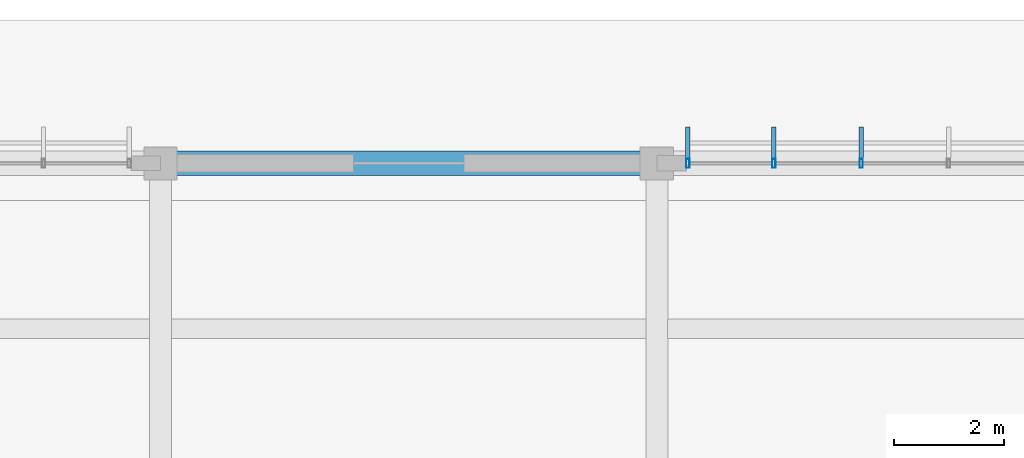
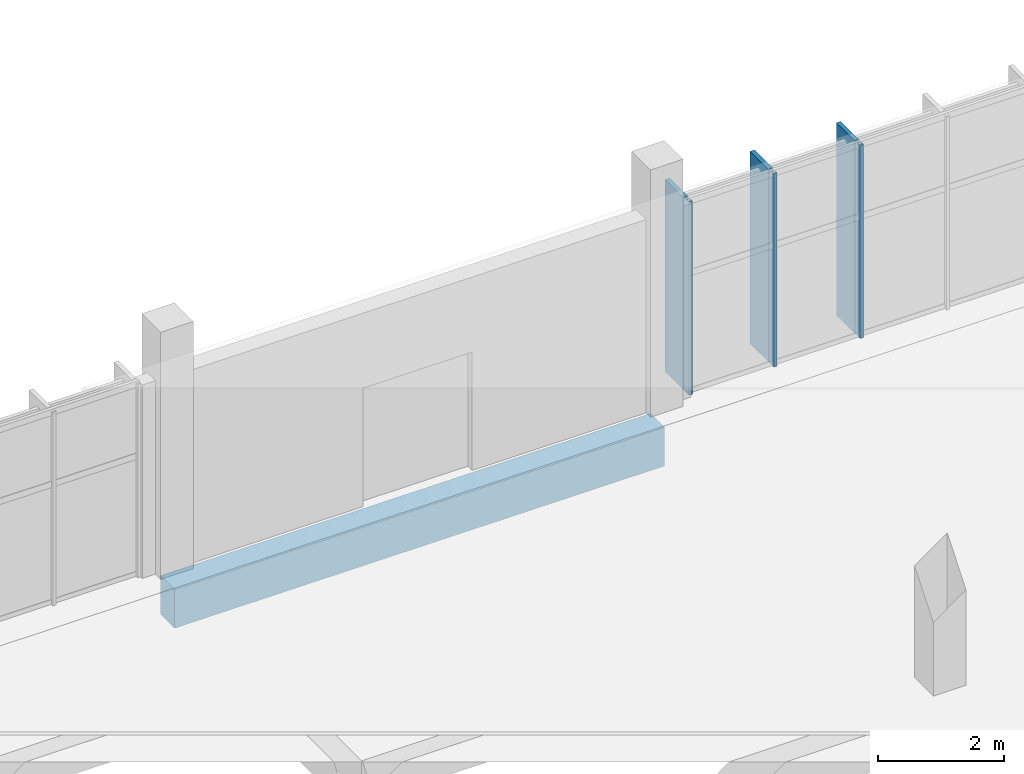
# One storey, part 99 of 151: 6 members, 1 beam, 1 element without a shape of its own.
"""IFC4 building model written with IfcOpenShell, lengths in metres."""

import ifcopenshell
import ifcopenshell.guid

model = None  # the IFC model being written
_history = None  # IfcOwnerHistory: only IFC2X3 demands one
_inside = {}  # id of a spatial element -> (the spatial element, [elements in it])
_under = {}  # id of a project, library or spatial element -> (it, [spatial elements below it])
_declared = {}  # id of a project -> (the project, [libraries it declares])
_typed = {}  # id of a type object -> (the type object, [elements of that type])
_made_of = {}  # id of a material, layer set ... -> (it, [elements and type objects made of it])


def new_model(schema):
    """Start an empty IFC model of exactly this schema.

    Asked for "IFC4X3", IfcOpenShell would pick the latest addendum, in which some entities
    have other attributes; the version numbers below select the first issue.
    IFC2X3 requires an IfcOwnerHistory on every rooted entity: one is made here for all.
    """
    global model, _history
    if schema == "IFC4X3":
        model = ifcopenshell.file(schema_version=(4, 3, 0, 0))
    else:
        model = ifcopenshell.file(schema=schema)
    _inside.clear()
    _under.clear()
    _declared.clear()
    _typed.clear()
    _made_of.clear()
    _history = None
    if model.schema == "IFC2X3":
        org = make("IfcOrganization", Name="unknown")
        user = make(
            "IfcPersonAndOrganization",
            ThePerson=make("IfcPerson", FamilyName="unknown"),
            TheOrganization=org,
        )
        app = make(
            "IfcApplication",
            ApplicationDeveloper=org,
            Version="unknown",
            ApplicationFullName="unknown",
            ApplicationIdentifier="unknown",
        )
        _history = make(
            "IfcOwnerHistory",
            OwningUser=user,
            OwningApplication=app,
            ChangeAction="ADDED",
            CreationDate=0,
        )
    return model


def make(cls, **values):
    """One entity of the class cls with the attributes given. An attribute that is None is left unset."""
    return model.create_entity(
        cls, **{name: value for name, value in values.items() if value is not None}
    )


def rooted(cls, **values):
    """An entity with a GlobalId (a new one), such as an element, a storey or a relation."""
    return make(cls, GlobalId=ifcopenshell.guid.new(), OwnerHistory=_history, **values)


def si_unit(unit_type, name, prefix=None):
    """IfcSIUnit, for example si_unit("LENGTHUNIT", "METRE", prefix="MILLI")."""
    return make("IfcSIUnit", UnitType=unit_type, Prefix=prefix, Name=name)


def assignment(units):
    """IfcUnitAssignment: the units of a project."""
    return None if units is None else make("IfcUnitAssignment", Units=units)


def point(xyz):
    """IfcCartesianPoint."""
    return None if xyz is None else make("IfcCartesianPoint", Coordinates=xyz)


def direction(xyz):
    """IfcDirection."""
    return None if xyz is None else make("IfcDirection", DirectionRatios=xyz)


def frame(location, z_axis=None, x_axis=None):
    """IfcAxis2Placement3D, a coordinate frame: its origin and axes. An axis left out is left unset."""
    return make(
        "IfcAxis2Placement3D",
        Location=point(location),
        Axis=direction(z_axis),
        RefDirection=direction(x_axis),
    )


def frame_2d(location, x_axis=None):
    """IfcAxis2Placement2D, a coordinate frame in the plane: its origin and x axis."""
    return make(
        "IfcAxis2Placement2D", Location=point(location), RefDirection=direction(x_axis)
    )


def origin():
    """The frame at (0, 0, 0) with its axes left unset."""
    return frame((0.0, 0.0, 0.0))


def origin_2d():
    """The frame at (0, 0) in the plane with its x axis left unset."""
    return frame_2d((0.0, 0.0))


def place(relative_to, where):
    """IfcLocalPlacement: puts the frame where relative to a parent placement (None: the world)."""
    return make(
        "IfcLocalPlacement", PlacementRelTo=relative_to, RelativePlacement=where
    )


def context(
    kind, dimensions, precision=None, world=None, true_north=None, identifier=None
):
    """IfcGeometricRepresentationContext, for example the 3D "Model" context."""
    return make(
        "IfcGeometricRepresentationContext",
        ContextIdentifier=identifier,
        ContextType=kind,
        CoordinateSpaceDimension=dimensions,
        Precision=precision,
        WorldCoordinateSystem=world,
        TrueNorth=true_north,
    )


def subcontext(parent, identifier, kind, view, scale=None):
    """IfcGeometricRepresentationSubContext, for example "Body" below "Model"."""
    return make(
        "IfcGeometricRepresentationSubContext",
        ContextIdentifier=identifier,
        ContextType=kind,
        ParentContext=parent,
        TargetScale=scale,
        TargetView=view,
    )


def project(units=None, contexts=None):
    """IfcProject with its units and contexts."""
    return rooted(
        "IfcProject",
        Name="project",
        RepresentationContexts=contexts,
        UnitsInContext=assignment(units),
    )


def spatial(cls, under=None, at=None, **own):
    """A site, building, storey or space (cls), placed at a placement, below another one or the project."""
    s = rooted(cls, ObjectPlacement=at, **own)
    if under is not None:
        _under.setdefault(under.id(), (under, []))[1].append(s)
    return s


def profile(cls, at=None, kind="AREA", **sizes):
    """A parametric profile (cls). Its sizes go by their IFC names, for example OverallWidth=200.0."""
    return make(cls, ProfileType=kind, Position=at, **sizes)


def rectangle(**sizes):
    """IfcRectangleProfileDef."""
    return profile("IfcRectangleProfileDef", **sizes)


def hollow_rectangle(**sizes):
    """IfcRectangleHollowProfileDef."""
    return profile("IfcRectangleHollowProfileDef", **sizes)


def extrude(swept, where, along, depth):
    """IfcExtrudedAreaSolid: the profile swept, set in the frame where, extruded along a direction by depth."""
    return make(
        "IfcExtrudedAreaSolid",
        SweptArea=swept,
        Position=where,
        ExtrudedDirection=direction(along),
        Depth=depth,
    )


def shape(context_of_items, identifier, shape_type, items):
    """IfcShapeRepresentation: the items that make up one representation, for example the "Body"."""
    return make(
        "IfcShapeRepresentation",
        ContextOfItems=context_of_items,
        RepresentationIdentifier=identifier,
        RepresentationType=shape_type,
        Items=items,
    )


def material(Name=None, Category=None):
    """IfcMaterial."""
    return make("IfcMaterial", Name=Name, Category=Category)


def material_profile(
    of_material, cross_section, Name=None, Category=None, Priority=None
):
    """IfcMaterialProfile: a cross section and its material."""
    return make(
        "IfcMaterialProfile",
        Name=Name,
        Material=of_material,
        Profile=cross_section,
        Priority=Priority,
        Category=Category,
    )


def profile_set(profiles, Name=None, composite=None):
    """IfcMaterialProfileSet."""
    return make(
        "IfcMaterialProfileSet",
        Name=Name,
        MaterialProfiles=profiles,
        CompositeProfile=composite,
    )


def made_of(thing, what):
    """Note that an element or type object is made of a material, layer set ...; save() writes the relation."""
    if what is not None:
        _made_of.setdefault(what.id(), (what, []))[1].append(thing)
    return thing


def type_object(cls, material=None, **own):
    """A type object (cls), such as IfcWallType, which elements share."""
    return made_of(rooted(cls, **own), material)


def element(
    cls,
    number,
    at=None,
    inside=None,
    cuts=None,
    type_object=None,
    material=None,
    context=None,
    identifier="Body",
    shape_type=None,
    held_by="IfcProductDefinitionShape",
    body=None,
    shapes=None,
    **own,
):
    """One element of the class cls, such as IfcWall. Its Tag is "e" and its number.

    at: its placement. inside: the storey or other place that contains it. cuts: it is an
    opening in that element (IfcRelVoidsElement). A single representation is given by context,
    identifier, shape_type and body (its items); several are given by shapes. held_by: the class
    of the entity that holds the representations. save() writes the other relations.
    """
    e = rooted(cls, Tag="e%d" % number, ObjectPlacement=at, **own)
    if body is not None:
        shapes = [shape(context, identifier, shape_type, body)]
    if shapes is not None:
        e.Representation = make(held_by, Representations=shapes)
    if inside is not None:
        _inside.setdefault(inside.id(), (inside, []))[1].append(e)
    if cuts is not None:
        rooted(
            "IfcRelVoidsElement", RelatingBuildingElement=cuts, RelatedOpeningElement=e
        )
    if type_object is not None:
        _typed.setdefault(type_object.id(), (type_object, []))[1].append(e)
    return made_of(e, material)


def aggregate(whole, parts):
    """IfcRelAggregates: a whole, such as a stair, and the parts it consists of."""
    return rooted("IfcRelAggregates", RelatingObject=whole, RelatedObjects=parts)


def save(model, path):
    """Write the relations noted so far, then the file.

    IfcRelAggregates (storeys below a building ...), IfcRelContainedInSpatialStructure (elements
    in a storey), IfcRelDefinesByType, IfcRelAssociatesMaterial and IfcRelDeclares: one each for
    every whole, place, type object, material and project.
    """
    for whole, parts in _under.values():
        aggregate(whole, parts)
    for where, things in _inside.values():
        rooted(
            "IfcRelContainedInSpatialStructure",
            RelatedElements=things,
            RelatingStructure=where,
        )
    for kind, things in _typed.values():
        rooted("IfcRelDefinesByType", RelatedObjects=things, RelatingType=kind)
    for what, things in _made_of.values():
        rooted("IfcRelAssociatesMaterial", RelatedObjects=things, RelatingMaterial=what)
    for by, libraries in _declared.values():
        rooted("IfcRelDeclares", RelatingContext=by, RelatedDefinitions=libraries)
    model.write(path)


model = new_model("IFC4")

# Units and contexts
model_context = context("Model", 3, precision=1e-05, world=origin(), true_north=direction((0.0, 1.0)))
body_context = subcontext(model_context, "Body", "Model", "MODEL_VIEW")
ifc_project = project(units=[si_unit("LENGTHUNIT", "METRE"), si_unit("AREAUNIT", "SQUARE_METRE"), si_unit("VOLUMEUNIT", "CUBIC_METRE"), si_unit("PLANEANGLEUNIT", "RADIAN"), si_unit("MASSUNIT", "GRAM", prefix="KILO")], contexts=[model_context])

# Site, building, storey
site_placement = place(None, origin())
site = spatial("IfcSite", under=ifc_project, at=site_placement, CompositionType="ELEMENT")
building_placement = place(site_placement, origin())
building = spatial("IfcBuilding", under=site, at=building_placement, Name="Chiffa Square Polytechnic", CompositionType="ELEMENT")
storey_placement = place(building_placement, origin())
storey = spatial("IfcBuildingStorey", under=building, at=storey_placement, Name="L00", CompositionType="ELEMENT", Elevation=0.0)

# Beam
ifc_material_1 = material(Name="Concrete C35/45", Category="concrete")
ifc_material_profile_1 = material_profile(ifc_material_1, rectangle(XDim=0.449951171875, YDim=0.75, at=origin_2d()), Name="RC 450x750")
ifc_profile_set_1 = profile_set([ifc_material_profile_1], Name="Concrete C35/45")
beam_type = type_object("IfcBeamType", Name="BM-RC-450X750", PredefinedType="BEAM", material=ifc_profile_set_1)
beam_placement = place(storey_placement, frame((66.60009765625, 130.800048828125, -0.72509765625), z_axis=(1.0, 0.0, 0.0), x_axis=(0.0, 1.0, 0.0)))
element("IfcBeam", 1, at=beam_placement, inside=storey, type_object=beam_type, Name="Primary floor girder BM-V5-L00-X-0666-1308", PredefinedType="BEAM", context=body_context, shape_type="SweptSolid", body=[
    extrude(rectangle(XDim=0.449951171875, YDim=0.75, at=origin_2d()), origin(), (0.0, 0.0, 1.0), 9.0),
])

# Curtain wall, members
ifc_material_2 = material(Name="Aluminium EN AW-6060 T66 and glulam shading", Category="wood")
curtain_wall_type = type_object("IfcCurtainWallType", Name="CW-VERT-600X440", PredefinedType="USERDEFINED", material=ifc_material_2)
curtain_wall_placement = place(storey_placement, origin())
curtain_wall = element("IfcCurtainWall", 2, at=curtain_wall_placement, inside=storey, type_object=curtain_wall_type, Name="Curtain wall CW-V5-L00-193", ObjectType="CURTAIN WALL", PredefinedType="USERDEFINED")
ifc_material_3 = material(Name="Aluminium EN AW-6060 T66", Category="aluminium")
ifc_material_profile_2 = material_profile(ifc_material_3, hollow_rectangle(XDim=0.06005859375, YDim=0.159912109375, WallThickness=0.00390625, at=origin_2d()), Name="ALU 60x160x4")
ifc_profile_set_2 = profile_set([ifc_material_profile_2], Name="Aluminium EN AW-6060 T66")
member_type_1 = type_object("IfcMemberType", Name="CWM-ALU-65X150", PredefinedType="MULLION", material=ifc_profile_set_2)
member_1_placement = place(storey_placement, frame((79.30810546875, 130.800048828125, 0.0), z_axis=(0.0, 0.0, 1.0), x_axis=(1.0, 0.0, 0.0)))
member_1 = element("IfcMember", 3, at=member_1_placement, type_object=member_type_1, Name="Curtain wall mullion CW-V5-L00-193-M03", PredefinedType="MULLION", context=body_context, shape_type="SweptSolid", body=[
    extrude(hollow_rectangle(XDim=0.06005859375, YDim=0.159912109375, WallThickness=0.00390625, at=origin_2d()), origin(), (0.0, 0.0, 1.0), 3.7548828125),
])
member_2_placement = place(storey_placement, frame((77.72412109375, 130.800048828125, 0.0), z_axis=(0.0, 0.0, 1.0), x_axis=(1.0, 0.0, 0.0)))
member_2 = element("IfcMember", 4, at=member_2_placement, type_object=member_type_1, Name="Curtain wall mullion CW-V5-L00-193-M04", PredefinedType="MULLION", context=body_context, shape_type="SweptSolid", body=[
    extrude(hollow_rectangle(XDim=0.06005859375, YDim=0.159912109375, WallThickness=0.00390625, at=origin_2d()), origin(), (0.0, 0.0, 1.0), 3.7548828125),
])
member_3_placement = place(storey_placement, frame((76.1650390625, 130.800048828125, 0.0), z_axis=(0.0, 0.0, 1.0), x_axis=(1.0, 0.0, 0.0)))
member_3 = element("IfcMember", 5, at=member_3_placement, type_object=member_type_1, Name="Curtain wall mullion CW-V5-L00-193-M05", PredefinedType="MULLION", context=body_context, shape_type="SweptSolid", body=[
    extrude(hollow_rectangle(XDim=0.06005859375, YDim=0.159912109375, WallThickness=0.00390625, at=origin_2d()), origin(), (0.0, 0.0, 1.0), 3.7548828125),
])
ifc_material_4 = material(Name="Glulam GL28h", Category="wood")
ifc_material_profile_3 = material_profile(ifc_material_4, rectangle(XDim=0.080078125, YDim=0.580078125, at=origin_2d()), Name="GL28h 80x580")
ifc_profile_set_3 = profile_set([ifc_material_profile_3], Name="Glulam GL28h")
member_type_2 = type_object("IfcMemberType", Name="CWM-GL-80X580", PredefinedType="MULLION", material=ifc_profile_set_3)
member_4_placement = place(storey_placement, frame((79.30810546875, 131.172119140625, 0.010009765625), z_axis=(0.0, 0.0, 1.0), x_axis=(-1.0, 0.0, 0.0)))
member_4 = element("IfcMember", 6, at=member_4_placement, type_object=member_type_2, Name="Exterior glulam solar fin CW-V5-L00-193-FN03", PredefinedType="MULLION", context=body_context, shape_type="SweptSolid", body=[
    extrude(rectangle(XDim=0.080078125, YDim=0.580078125, at=origin_2d()), origin(), (0.0, 0.0, 1.0), 3.735107421875),
])
member_5_placement = place(storey_placement, frame((77.72412109375, 131.172119140625, 0.010009765625), z_axis=(0.0, 0.0, 1.0), x_axis=(-1.0, 0.0, 0.0)))
member_5 = element("IfcMember", 7, at=member_5_placement, type_object=member_type_2, Name="Exterior glulam solar fin CW-V5-L00-193-FN04", PredefinedType="MULLION", context=body_context, shape_type="SweptSolid", body=[
    extrude(rectangle(XDim=0.080078125, YDim=0.580078125, at=origin_2d()), origin(), (0.0, 0.0, 1.0), 3.735107421875),
])
member_6_placement = place(storey_placement, frame((76.1650390625, 131.172119140625, 0.010009765625), z_axis=(0.0, 0.0, 1.0), x_axis=(-1.0, 0.0, 0.0)))
member_6 = element("IfcMember", 8, at=member_6_placement, type_object=member_type_2, Name="Exterior glulam solar fin CW-V5-L00-193-FN05", PredefinedType="MULLION", context=body_context, shape_type="SweptSolid", body=[
    extrude(rectangle(XDim=0.080078125, YDim=0.580078125, at=origin_2d()), origin(), (0.0, 0.0, 1.0), 3.735107421875),
])
aggregate(curtain_wall, [member_1, member_4, member_2, member_5, member_3, member_6])

save(model, "model.ifc")
